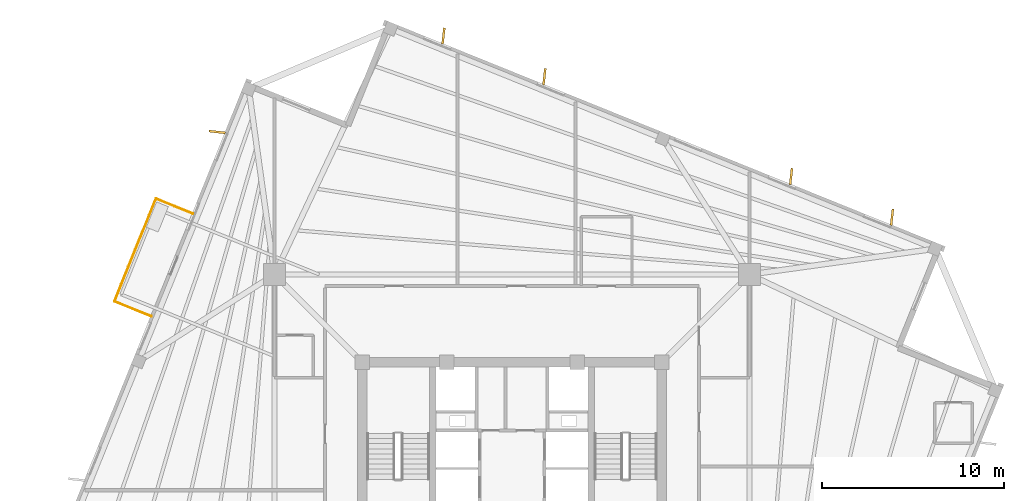
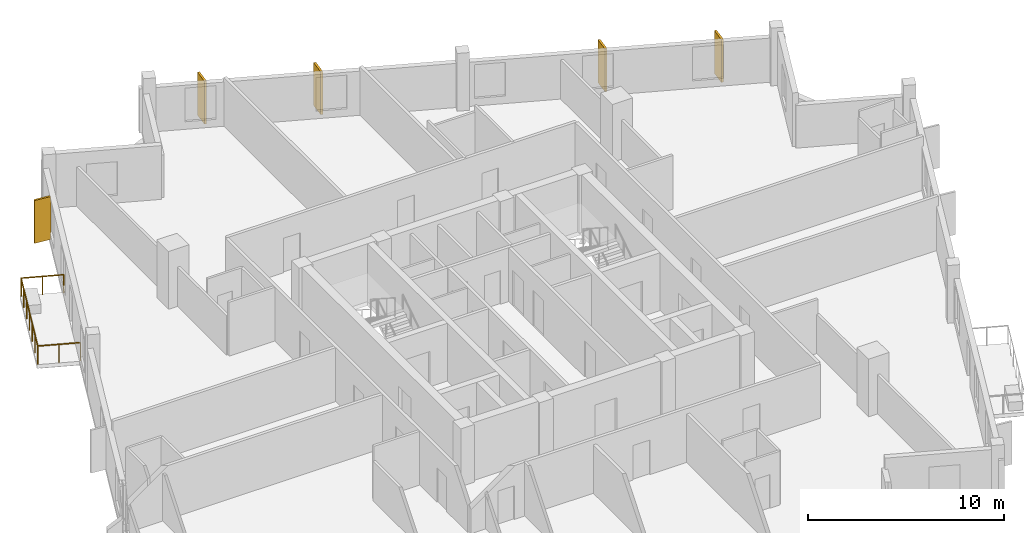
# One storey, part 8 of 8: 5 coverings, 3 railings.
"""IFC4 building model written with IfcOpenShell, lengths in metres."""

from ifc_helpers import new_model, si_unit, direction, frame, origin, origin_2d, place, context, subcontext, project, spatial, rectangle, circle, extrude, source, transform, mapped, material, layer, layer_set, type_object, element, save


model = new_model("IFC4")

# Units and contexts
model_context = context("Model", 3, precision=1e-05, world=origin(), true_north=direction((0.0, 1.0)))
body_context = subcontext(model_context, "Body", "Model", "MODEL_VIEW")
ifc_project = project(units=[si_unit("LENGTHUNIT", "METRE"), si_unit("AREAUNIT", "SQUARE_METRE"), si_unit("VOLUMEUNIT", "CUBIC_METRE"), si_unit("PLANEANGLEUNIT", "RADIAN"), si_unit("MASSUNIT", "GRAM", prefix="KILO"), si_unit("THERMODYNAMICTEMPERATUREUNIT", "KELVIN")], contexts=[model_context])

# Site, building, storey
site_placement = place(None, origin())
site = spatial("IfcSite", under=ifc_project, at=site_placement, CompositionType="ELEMENT")
building_placement = place(site_placement, origin())
building = spatial("IfcBuilding", under=site, at=building_placement, Name="Kosmvard Interchange Tower", CompositionType="ELEMENT")
storey_placement = place(building_placement, frame((0.0, 0.0, 304.800048828125)))
storey = spatial("IfcBuildingStorey", under=building, at=storey_placement, Name="L75", CompositionType="ELEMENT", Elevation=304.800048828125)

# Railing
ifc_material_1 = material(Name="Steel S355", Category="steel")
railing_type = type_object("IfcRailingType", Name="Observation & Balcony Glass-Infill Balustrade 1150", PredefinedType="BALUSTRADE", material=ifc_material_1)
shared_shape_1 = source(origin(), body_context, "Body", "SweptSolid", [
    extrude(circle(Radius=0.02392578125, at=origin_2d()), frame((0.0, 0.0, 1.1259765625), z_axis=(-0.927208487558, 0.374545618852, 0.0), x_axis=(-0.374545618852, -0.927208487558, 0.0)), (0.0, 0.0, 1.0), 2.199951171875),
    extrude(circle(Radius=0.02099609375, at=origin_2d()), origin(), (0.0, 0.0, 1.0), 1.101806640625),
    extrude(circle(Radius=0.02099609375, at=origin_2d()), frame((-1.02001953125, 0.412109375, 0.0)), (0.0, 0.0, 1.0), 1.101806640625),
    extrude(circle(Radius=0.02099609375, at=origin_2d()), frame((-2.039794921875, 0.823974609375, 0.0)), (0.0, 0.0, 1.0), 1.101806640625),
])
railing_1_placement = place(storey_placement, frame((-17.574951171875, 16.43017578125, 0.0)))
element("IfcRailing", 1, at=railing_1_placement, inside=storey, type_object=railing_type, Name="L75 Outdoor Terrace Guard BAL-L75-N-A", PredefinedType="BALUSTRADE", context=body_context, shape_type="MappedRepresentation", body=[
    mapped(shared_shape_1, transform((0.0, 0.0, 0.0), scale=1.0)),
])

# Coverings
ifc_material_2 = material(Name="Architectural anodised aluminium", Category="aluminium")
ifc_layer = layer(ifc_material_2, 0.1201171875, Name="Architectural anodised aluminium")
ifc_layer_set = layer_set([ifc_layer], Name="Architectural anodised aluminium")
covering_type = type_object("IfcCoveringType", Name="Rotating Vertical Sun-Breaker Fin 900x120 Aluminium", PredefinedType="CLADDING", material=ifc_layer_set)
shared_shape_2 = source(origin(), body_context, "Body", "SweptSolid", [
    extrude(rectangle(XDim=0.89990234375, YDim=0.1201171875, at=origin_2d()), origin(), (0.0, 0.0, 1.0), 2.669921875),
])
for number, where, z_axis, x_axis, name in (
    (2, (20.932373046875, 16.2412109375, 0.0400390625), (0.0, 0.0, 1.0), (0.112336115762, 0.99367026578, 0.0), "L75 Rotating Vertical Sun-Breaker Fin 04"),
    (3, (15.373046875, 18.4873046875, 0.0400390625), (0.0, 0.0, 1.0), (0.112336115762, 0.99367026578, 0.0), "L75 Rotating Vertical Sun-Breaker Fin 05"),
    (4, (1.783935546875, 23.977783203125, 0.0400390625), (0.0, 0.0, 1.0), (0.112336115762, 0.99367026578, 0.0), "L75 Rotating Vertical Sun-Breaker Fin 06"),
    (5, (-3.775390625, 26.223876953125, 0.0400390625), (0.0, 0.0, 1.0), (0.112336115762, 0.99367026578, 0.0), "L75 Rotating Vertical Sun-Breaker Fin 07"),
    (6, (-16.2412109375, 20.932373046875, 0.0400390625), (0.0, 0.0, 1.0), (-0.99367026578, 0.112336115762, 0.0), "L75 Rotating Vertical Sun-Breaker Fin 08"),
):
    element("IfcCovering", number, at=place(storey_placement, frame(where, z_axis=z_axis, x_axis=x_axis)), inside=storey, type_object=covering_type, Name=name, PredefinedType="CLADDING", context=body_context, shape_type="MappedRepresentation", body=[
        mapped(shared_shape_2, transform((0.0, 0.0, 0.0), scale=1.0)),
    ])

# Railings
shared_shape_3 = source(origin(), body_context, "Body", "SweptSolid", [
    extrude(circle(Radius=0.02392578125, at=origin_2d()), frame((0.0, 0.0, 1.1259765625), z_axis=(-0.374617894384, -0.927179288599, 0.0), x_axis=(0.927179288599, -0.374617894384, 0.0)), (0.0, 0.0, 1.0), 6.099853515625),
    extrude(circle(Radius=0.02099609375, at=origin_2d()), origin(), (0.0, 0.0, 1.0), 1.101806640625),
    extrude(circle(Radius=0.02099609375, at=origin_2d()), frame((-0.380859375, -0.942626953125, 0.0)), (0.0, 0.0, 1.0), 1.101806640625),
    extrude(circle(Radius=0.02099609375, at=origin_2d()), frame((-0.76171875, -1.88525390625, 0.0)), (0.0, 0.0, 1.0), 1.101806640625),
    extrude(circle(Radius=0.02099609375, at=origin_2d()), frame((-1.142578125, -2.827880859375, 0.0)), (0.0, 0.0, 1.0), 1.101806640625),
    extrude(circle(Radius=0.02099609375, at=origin_2d()), frame((-1.5234375, -3.7705078125, 0.0)), (0.0, 0.0, 1.0), 1.101806640625),
    extrude(circle(Radius=0.02099609375, at=origin_2d()), frame((-1.904296875, -4.713134765625, 0.0)), (0.0, 0.0, 1.0), 1.101806640625),
    extrude(circle(Radius=0.02099609375, at=origin_2d()), frame((-2.28515625, -5.65576171875, 0.0)), (0.0, 0.0, 1.0), 1.101806640625),
])
railing_2_placement = place(storey_placement, frame((-19.61474609375, 17.254150390625, 0.0)))
element("IfcRailing", 7, at=railing_2_placement, inside=storey, type_object=railing_type, Name="L75 Outdoor Terrace Guard BAL-L75-N-B", PredefinedType="BALUSTRADE", context=body_context, shape_type="MappedRepresentation", body=[
    mapped(shared_shape_3, transform((0.0, 0.0, 0.0), scale=1.0)),
])
shared_shape_4 = source(origin(), body_context, "Body", "SweptSolid", [
    extrude(circle(Radius=0.02392578125, at=origin_2d()), frame((0.0, 0.0, 1.1259765625), z_axis=(0.927169944131, -0.374641021112, 0.0), x_axis=(0.374641021112, 0.927169944131, 0.0)), (0.0, 0.0, 1.0), 2.199951171875),
    extrude(circle(Radius=0.02099609375, at=origin_2d()), origin(), (0.0, 0.0, 1.0), 1.101806640625),
    extrude(circle(Radius=0.02099609375, at=origin_2d()), frame((1.02001953125, -0.412109375, 0.0)), (0.0, 0.0, 1.0), 1.101806640625),
    extrude(circle(Radius=0.02099609375, at=origin_2d()), frame((2.039794921875, -0.82421875, 0.0)), (0.0, 0.0, 1.0), 1.101806640625),
])
railing_3_placement = place(storey_placement, frame((-21.89990234375, 11.598388671875, 0.0)))
element("IfcRailing", 8, at=railing_3_placement, inside=storey, type_object=railing_type, Name="L75 Outdoor Terrace Guard BAL-L75-N-C", PredefinedType="BALUSTRADE", context=body_context, shape_type="MappedRepresentation", body=[
    mapped(shared_shape_4, transform((0.0, 0.0, 0.0), scale=1.0)),
])

save(model, "model.ifc")
